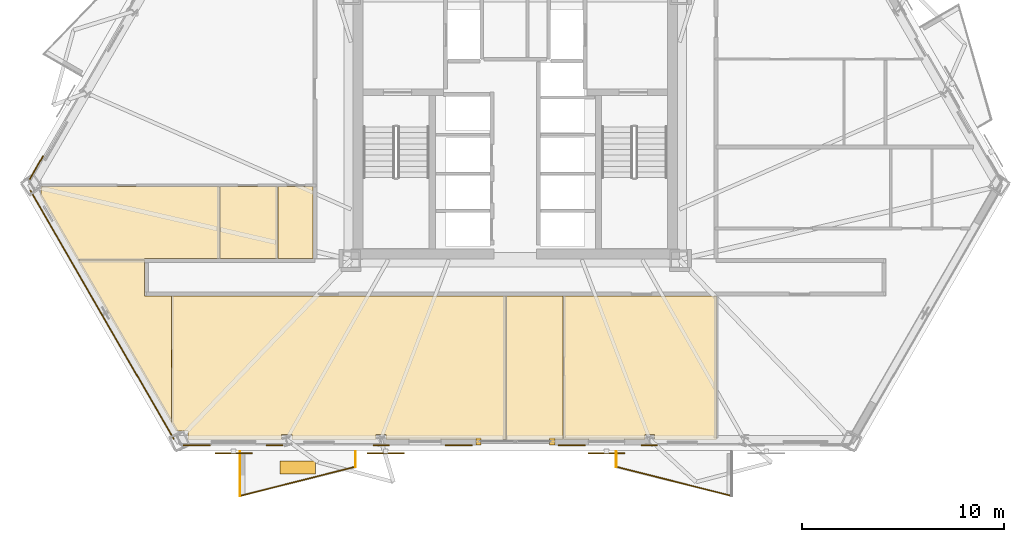
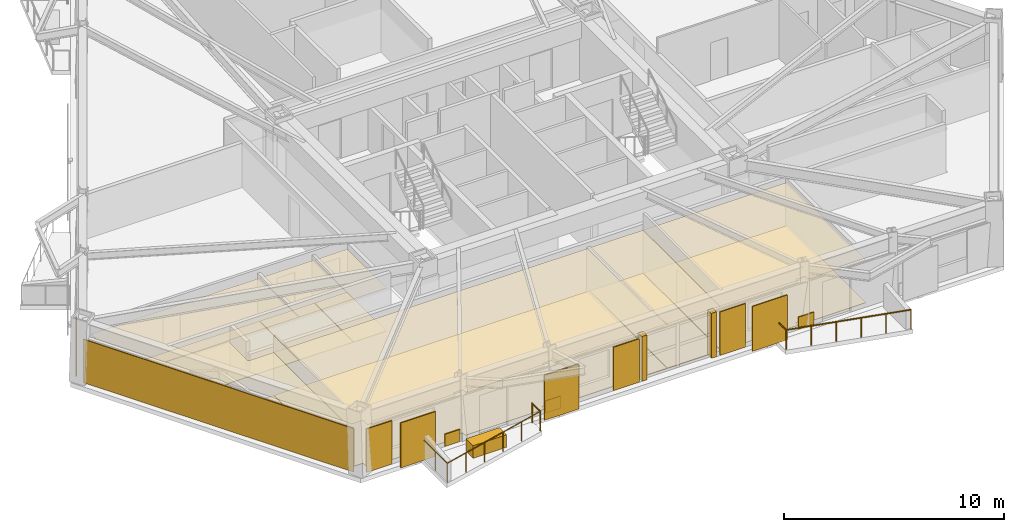
# One storey, part 10 of 15: 25 coverings, 5 railings, 3 shading devices.
"""IFC4 building model written with IfcOpenShell, lengths in metres."""

from ifc_helpers import new_model, si_unit, direction, frame, origin, origin_2d, place, context, subcontext, project, spatial, polyline, rectangle, circle, outline, extrude, material, layer, layer_set, type_object, element, save


model = new_model("IFC4")

# Units and contexts
model_context = context("Model", 3, precision=1e-05, world=origin(), true_north=direction((0.0, 1.0)))
body_context = subcontext(model_context, "Body", "Model", "MODEL_VIEW")
ifc_project = project(units=[si_unit("LENGTHUNIT", "METRE"), si_unit("AREAUNIT", "SQUARE_METRE"), si_unit("VOLUMEUNIT", "CUBIC_METRE"), si_unit("PLANEANGLEUNIT", "RADIAN"), si_unit("MASSUNIT", "GRAM", prefix="KILO")], contexts=[model_context])

# Site, building, storey
site_placement = place(None, origin())
site = spatial("IfcSite", under=ifc_project, at=site_placement, CompositionType="ELEMENT")
building_placement = place(site_placement, origin())
building = spatial("IfcBuilding", under=site, at=building_placement, Name="Oramaril Tower", CompositionType="ELEMENT")
storey_placement = place(building_placement, frame((0.0, 0.0, 48.89990234375)))
storey = spatial("IfcBuildingStorey", under=building, at=storey_placement, Name="L12", CompositionType="ELEMENT", Elevation=48.89990234375)

# Coverings
ifc_material_1 = material(Name="Mineral Fibre Acoustic Ceiling")
ifc_layer_1 = layer(ifc_material_1, 0.02001953125)
ifc_layer_set_1 = layer_set([ifc_layer_1], Name="CVT-CEIL")
covering_type_1 = type_object("IfcCoveringType", Name="CVT-CEIL", PredefinedType="CEILING", material=ifc_layer_set_1)
covering_1_placement = place(storey_placement, frame((0.0, 0.0, 2.400146484375)))
element("IfcCovering", 1, at=covering_1_placement, inside=storey, type_object=covering_type_1, Name="L12 Acoustic Suspended Ceiling 6", PredefinedType="CEILING", context=body_context, shape_type="SweptSolid", body=[
    extrude(outline(polyline([(31.0751953125, 2.314697265625), (30.58251953125, 2.314697265625), (30.58251953125, 2.086181640625), (26.412109375, 2.086181640625), (26.412109375, 2.314697265625), (25.906494140625, 2.314697265625), (25.906494140625, 2.086181640625), (21.265625, 2.086181640625), (21.265625, 2.497802734375), (20.67041015625, 2.497802734375), (20.452392578125, 2.87548828125), (20.452392578125, 9.199951171875), (37.0419921875, 9.199951171875), (37.0419921875, 2.086181640625), (31.0751953125, 2.086181640625), (31.0751953125, 2.314697265625)])), origin(), (0.0, 0.0, 1.0), 0.02001953125),
])
covering_2_placement = place(storey_placement, frame((0.0, 0.0, 2.400146484375)))
element("IfcCovering", 2, at=covering_2_placement, inside=storey, type_object=covering_type_1, Name="L12 Acoustic Suspended Ceiling 7", PredefinedType="CEILING", context=body_context, shape_type="SweptSolid", body=[
    extrude(outline(polyline([(15.766357421875, 10.991943359375), (19.10009765625, 10.991943359375), (19.10009765625, 9.219970703125), (19.10009765625, 9.218017578125), (19.100341796875, 9.216064453125), (19.100830078125, 9.214111328125), (19.1015625, 9.21240234375), (19.102294921875, 9.210693359375), (19.103515625, 9.208984375), (19.1044921875, 9.207275390625), (19.10595703125, 9.205810546875), (19.107421875, 9.20458984375), (19.10888671875, 9.203369140625), (19.110595703125, 9.202392578125), (19.1123046875, 9.201416015625), (19.1142578125, 9.200927734375), (19.1162109375, 9.200439453125), (19.117919921875, 9.2001953125), (19.1201171875, 9.199951171875), (20.4326171875, 9.199951171875), (20.4326171875, 2.909912109375), (15.766357421875, 10.991943359375)])), origin(), (0.0, 0.0, 1.0), 0.02001953125),
])
covering_3_placement = place(storey_placement, frame((0.0, 0.0, 2.400146484375)))
element("IfcCovering", 3, at=covering_3_placement, inside=storey, type_object=covering_type_1, Name="L12 Acoustic Suspended Ceiling 8", PredefinedType="CEILING", context=body_context, shape_type="SweptSolid", body=[
    extrude(outline(polyline([(44.41748046875, 2.314697265625), (43.9248046875, 2.314697265625), (43.9248046875, 2.086181640625), (39.884033203125, 2.086181640625), (39.884033203125, 9.199951171875), (47.491943359375, 9.199951171875), (47.491943359375, 2.086181640625), (44.41748046875, 2.086181640625), (44.41748046875, 2.314697265625)])), origin(), (0.0, 0.0, 1.0), 0.02001953125),
])
covering_4_placement = place(storey_placement, frame((0.0, 0.0, 2.400146484375)))
element("IfcCovering", 4, at=covering_4_placement, inside=storey, type_object=covering_type_1, Name="L12 Acoustic Suspended Ceiling 9", PredefinedType="CEILING", context=body_context, shape_type="SweptSolid", body=[
    extrude(outline(polyline([(37.06201171875, 2.086181640625), (37.06201171875, 9.199951171875), (39.864013671875, 9.199951171875), (39.864013671875, 2.086181640625), (37.06201171875, 2.086181640625)])), origin(), (0.0, 0.0, 1.0), 0.02001953125),
])
covering_5_placement = place(storey_placement, frame((0.0, 0.0, 2.400146484375)))
element("IfcCovering", 5, at=covering_5_placement, inside=storey, type_object=covering_type_1, Name="L12 Acoustic Suspended Ceiling 11", PredefinedType="CEILING", context=body_context, shape_type="SweptSolid", body=[
    extrude(outline(polyline([(13.9619140625, 14.227783203125), (13.9619140625, 14.631591796875), (22.827392578125, 14.631591796875), (22.827392578125, 11.050048828125), (19.1201171875, 11.050048828125), (19.117919921875, 11.0498046875), (19.1162109375, 11.049560546875), (19.1142578125, 11.049072265625), (19.1123046875, 11.048583984375), (19.110595703125, 11.047607421875), (19.10888671875, 11.046630859375), (19.107421875, 11.04541015625), (19.10595703125, 11.044189453125), (19.1044921875, 11.042724609375), (19.103515625, 11.041015625), (19.102294921875, 11.039306640625), (19.1015625, 11.03759765625), (19.100830078125, 11.035888671875), (19.100341796875, 11.033935546875), (19.10009765625, 11.031982421875), (19.10009765625, 11.030029296875), (19.10009765625, 11.011962890625), (15.766357421875, 11.011962890625), (15.764404296875, 11.011962890625), (15.762451171875, 11.01171875), (15.760498046875, 11.010986328125), (15.758544921875, 11.010498046875), (15.7568359375, 11.009521484375), (15.75634765625, 11.00927734375), (13.898193359375, 14.227783203125), (13.9619140625, 14.227783203125)])), origin(), (0.0, 0.0, 1.0), 0.02001953125),
])
covering_6_placement = place(storey_placement, frame((0.0, 0.0, 2.400146484375)))
element("IfcCovering", 6, at=covering_6_placement, inside=storey, type_object=covering_type_1, Name="L12 Acoustic Suspended Ceiling 12", PredefinedType="CEILING", context=body_context, shape_type="SweptSolid", body=[
    extrude(outline(polyline([(25.701904296875, 11.050048828125), (22.847412109375, 11.050048828125), (22.847412109375, 14.631591796875), (25.701904296875, 14.631591796875), (25.701904296875, 11.050048828125)])), origin(), (0.0, 0.0, 1.0), 0.02001953125),
])
covering_7_placement = place(storey_placement, frame((0.0, 0.0, 2.400146484375)))
element("IfcCovering", 7, at=covering_7_placement, inside=storey, type_object=covering_type_1, Name="L12 Acoustic Suspended Ceiling 13", PredefinedType="CEILING", context=body_context, shape_type="SweptSolid", body=[
    extrude(outline(polyline([(25.721923828125, 14.631591796875), (27.449951171875, 14.631591796875), (27.449951171875, 11.050048828125), (25.721923828125, 11.050048828125), (25.721923828125, 14.631591796875)])), origin(), (0.0, 0.0, 1.0), 0.02001953125),
])
ifc_material_2 = material(Name="Warm Cream Limestone", Category="masonry")
ifc_layer_2 = layer(ifc_material_2, 0.050048828125)
ifc_layer_set_2 = layer_set([ifc_layer_2], Name="CVT-CLD")
covering_type_2 = type_object("IfcCoveringType", Name="CVT-CLD", PredefinedType="CLADDING", material=ifc_layer_set_2)
covering_8_placement = place(storey_placement, frame((16.9951171875, 8.26171875, 0.0400390625), z_axis=(0.0, 0.0, 1.0), x_axis=(0.5, -0.866025403784, 0.0)))
element("IfcCovering", 8, at=covering_8_placement, inside=storey, type_object=covering_type_2, Name="L12 Warm Cream Limestone Cladding", PredefinedType="CLADDING", context=body_context, shape_type="SweptSolid", body=[
    extrude(rectangle(XDim=14.2333984375, YDim=0.050048828125, at=origin_2d()), origin(), (0.0, 0.0, 1.0), 2.4140625),
])
for number, where, z_axis, x_axis, name in (
    (9, (35.669921875, 1.978271484375, 0.0), (0.0, 0.0, 1.0), (1.0, 0.0, 0.0), "L12 Curtain Wall Limestone Jamb Closure"),
    (10, (39.330078125, 1.978271484375, 0.0), (0.0, 0.0, 1.0), (1.0, 0.0, 0.0), "L12 Curtain Wall Limestone Jamb Closure"),
):
    element("IfcCovering", number, at=place(storey_placement, frame(where, z_axis=z_axis, x_axis=x_axis)), inside=storey, type_object=covering_type_2, Name=name, PredefinedType="CLADDING", context=body_context, shape_type="SweptSolid", body=[
        extrude(rectangle(XDim=0.260009765625, YDim=0.340087890625, at=origin_2d()), origin(), (0.0, 0.0, 1.0), 2.493896484375),
    ])
for number, where, z_axis, x_axis, name in (
    (11, (21.69580078125, 1.785400390625, 0.0400390625), (0.0, 0.0, 1.0), (1.0, 0.0, 0.0), "L12 Warm Cream Limestone Cladding"),
    (12, (34.699951171875, 1.785400390625, 0.0400390625), (0.0, 0.0, 1.0), (1.0, 0.0, 0.0), "L12 Warm Cream Limestone Cladding"),
):
    element("IfcCovering", number, at=place(storey_placement, frame(where, z_axis=z_axis, x_axis=x_axis)), inside=storey, type_object=covering_type_2, Name=name, PredefinedType="CLADDING", context=body_context, shape_type="SweptSolid", body=[
        extrude(rectangle(XDim=1.35009765625, YDim=0.050048828125, at=origin_2d()), origin(), (0.0, 0.0, 1.0), 2.4140625),
    ])
for number, where, z_axis, x_axis, name in (
    (13, (25.551025390625, 1.785400390625, 0.0400390625), (0.0, 0.0, 1.0), (1.0, 0.0, 0.0), "L12 Warm Cream Limestone Spandrel Cladding"),
    (14, (30.844482421875, 1.785400390625, 0.0400390625), (0.0, 0.0, 1.0), (1.0, 0.0, 0.0), "L12 Warm Cream Limestone Spandrel Cladding"),
):
    element("IfcCovering", number, at=place(storey_placement, frame(where, z_axis=z_axis, x_axis=x_axis)), inside=storey, type_object=covering_type_2, Name=name, PredefinedType="CLADDING", context=body_context, shape_type="SweptSolid", body=[
        extrude(rectangle(XDim=0.800048828125, YDim=0.050048828125, at=origin_2d()), origin(), (0.0, 0.0, 1.0), 0.679931640625),
    ])
covering_9_placement = place(storey_placement, frame((40.300048828125, 1.785400390625, 0.0400390625), z_axis=(0.0, 0.0, 1.0), x_axis=(1.0, 0.0, 0.0)))
element("IfcCovering", 15, at=covering_9_placement, inside=storey, type_object=covering_type_2, Name="L12 Warm Cream Limestone Cladding", PredefinedType="CLADDING", context=body_context, shape_type="SweptSolid", body=[
    extrude(rectangle(XDim=1.35009765625, YDim=0.050048828125, at=origin_2d()), origin(), (0.0, 0.0, 1.0), 2.4140625),
])
covering_10_placement = place(storey_placement, frame((44.155517578125, 1.785400390625, 0.0400390625), z_axis=(0.0, 0.0, 1.0), x_axis=(1.0, 0.0, 0.0)))
element("IfcCovering", 16, at=covering_10_placement, inside=storey, type_object=covering_type_2, Name="L12 Warm Cream Limestone Spandrel Cladding", PredefinedType="CLADDING", context=body_context, shape_type="SweptSolid", body=[
    extrude(rectangle(XDim=0.800048828125, YDim=0.050048828125, at=origin_2d()), origin(), (0.0, 0.0, 1.0), 0.679931640625),
])
covering_11_placement = place(storey_placement, frame((13.73681640625, 15.5703125, 0.0400390625), z_axis=(0.0, 0.0, 1.0), x_axis=(-0.5, -0.866025403784, 0.0)))
element("IfcCovering", 17, at=covering_11_placement, inside=storey, type_object=covering_type_2, Name="L12 Warm Cream Limestone Cladding", PredefinedType="CLADDING", context=body_context, shape_type="SweptSolid", body=[
    extrude(rectangle(XDim=1.35009765625, YDim=0.050048828125, at=origin_2d()), origin(), (0.0, 0.0, 1.0), 2.4140625),
])
covering_12_placement = place(storey_placement, frame((26.705078125, 0.681884765625, 0.0), z_axis=(0.0, 0.0, 1.0), x_axis=(1.0, 0.0, 0.0)))
element("IfcCovering", 18, at=covering_12_placement, inside=storey, type_object=covering_type_2, Name="L12 Structural Tree Planter Box L12-BAL-S1", PredefinedType="CLADDING", context=body_context, shape_type="SweptSolid", body=[
    extrude(rectangle(XDim=1.75, YDim=0.64990234375, at=origin_2d()), origin(), (0.0, 0.0, 1.0), 0.699951171875),
])
ifc_material_3 = material(Name="Honed Quartzite Stone Flooring", Category="masonry")
ifc_layer_3 = layer(ifc_material_3, 0.02490234375)
ifc_layer_set_3 = layer_set([ifc_layer_3], Name="CVT-FLR")
covering_type_3 = type_object("IfcCoveringType", Name="CVT-FLR", PredefinedType="FLOORING", material=ifc_layer_set_3)
covering_13_placement = place(storey_placement, origin())
element("IfcCovering", 19, at=covering_13_placement, inside=storey, type_object=covering_type_3, Name="L12 Honed Stone Floor Finish 6", PredefinedType="FLOORING", context=body_context, shape_type="SweptSolid", body=[
    extrude(outline(polyline([(31.0751953125, 2.314697265625), (30.58251953125, 2.314697265625), (30.58251953125, 2.086181640625), (26.412109375, 2.086181640625), (26.412109375, 2.314697265625), (25.906494140625, 2.314697265625), (25.906494140625, 2.086181640625), (21.265625, 2.086181640625), (21.265625, 2.497802734375), (20.67041015625, 2.497802734375), (20.452392578125, 2.87548828125), (20.452392578125, 9.199951171875), (37.0419921875, 9.199951171875), (37.0419921875, 2.086181640625), (31.0751953125, 2.086181640625), (31.0751953125, 2.314697265625)])), origin(), (0.0, 0.0, 1.0), 0.025146484375),
])
covering_14_placement = place(storey_placement, origin())
element("IfcCovering", 20, at=covering_14_placement, inside=storey, type_object=covering_type_3, Name="L12 Honed Stone Floor Finish 7", PredefinedType="FLOORING", context=body_context, shape_type="SweptSolid", body=[
    extrude(outline(polyline([(15.766357421875, 10.991943359375), (19.10009765625, 10.991943359375), (19.10009765625, 9.219970703125), (19.10009765625, 9.218017578125), (19.100341796875, 9.216064453125), (19.100830078125, 9.214111328125), (19.1015625, 9.21240234375), (19.102294921875, 9.210693359375), (19.103515625, 9.208984375), (19.1044921875, 9.207275390625), (19.10595703125, 9.205810546875), (19.107421875, 9.20458984375), (19.10888671875, 9.203369140625), (19.110595703125, 9.202392578125), (19.1123046875, 9.201416015625), (19.1142578125, 9.200927734375), (19.1162109375, 9.200439453125), (19.117919921875, 9.2001953125), (19.1201171875, 9.199951171875), (20.4326171875, 9.199951171875), (20.4326171875, 2.909912109375), (15.766357421875, 10.991943359375)])), origin(), (0.0, 0.0, 1.0), 0.025146484375),
])
covering_15_placement = place(storey_placement, origin())
element("IfcCovering", 21, at=covering_15_placement, inside=storey, type_object=covering_type_3, Name="L12 Honed Stone Floor Finish 8", PredefinedType="FLOORING", context=body_context, shape_type="SweptSolid", body=[
    extrude(outline(polyline([(44.41748046875, 2.314697265625), (43.9248046875, 2.314697265625), (43.9248046875, 2.086181640625), (39.884033203125, 2.086181640625), (39.884033203125, 9.199951171875), (47.491943359375, 9.199951171875), (47.491943359375, 2.086181640625), (44.41748046875, 2.086181640625), (44.41748046875, 2.314697265625)])), origin(), (0.0, 0.0, 1.0), 0.025146484375),
])
covering_16_placement = place(storey_placement, origin())
element("IfcCovering", 22, at=covering_16_placement, inside=storey, type_object=covering_type_3, Name="L12 Honed Stone Floor Finish 9", PredefinedType="FLOORING", context=body_context, shape_type="SweptSolid", body=[
    extrude(outline(polyline([(37.06201171875, 2.086181640625), (37.06201171875, 9.199951171875), (39.864013671875, 9.199951171875), (39.864013671875, 2.086181640625), (37.06201171875, 2.086181640625)])), origin(), (0.0, 0.0, 1.0), 0.025146484375),
])
covering_17_placement = place(storey_placement, origin())
element("IfcCovering", 23, at=covering_17_placement, inside=storey, type_object=covering_type_3, Name="L12 Honed Stone Floor Finish 11", PredefinedType="FLOORING", context=body_context, shape_type="SweptSolid", body=[
    extrude(outline(polyline([(13.9619140625, 14.227783203125), (13.9619140625, 14.631591796875), (22.827392578125, 14.631591796875), (22.827392578125, 11.050048828125), (19.1201171875, 11.050048828125), (19.117919921875, 11.0498046875), (19.1162109375, 11.049560546875), (19.1142578125, 11.049072265625), (19.1123046875, 11.048583984375), (19.110595703125, 11.047607421875), (19.10888671875, 11.046630859375), (19.107421875, 11.04541015625), (19.10595703125, 11.044189453125), (19.1044921875, 11.042724609375), (19.103515625, 11.041015625), (19.102294921875, 11.039306640625), (19.1015625, 11.03759765625), (19.100830078125, 11.035888671875), (19.100341796875, 11.033935546875), (19.10009765625, 11.031982421875), (19.10009765625, 11.030029296875), (19.10009765625, 11.011962890625), (15.766357421875, 11.011962890625), (15.764404296875, 11.011962890625), (15.762451171875, 11.01171875), (15.760498046875, 11.010986328125), (15.758544921875, 11.010498046875), (15.7568359375, 11.009521484375), (15.75634765625, 11.00927734375), (13.898193359375, 14.227783203125), (13.9619140625, 14.227783203125)])), origin(), (0.0, 0.0, 1.0), 0.025146484375),
])
covering_18_placement = place(storey_placement, origin())
element("IfcCovering", 24, at=covering_18_placement, inside=storey, type_object=covering_type_3, Name="L12 Honed Stone Floor Finish 12", PredefinedType="FLOORING", context=body_context, shape_type="SweptSolid", body=[
    extrude(outline(polyline([(25.701904296875, 11.050048828125), (22.847412109375, 11.050048828125), (22.847412109375, 14.631591796875), (25.701904296875, 14.631591796875), (25.701904296875, 11.050048828125)])), origin(), (0.0, 0.0, 1.0), 0.025146484375),
])
covering_19_placement = place(storey_placement, origin())
element("IfcCovering", 25, at=covering_19_placement, inside=storey, type_object=covering_type_3, Name="L12 Honed Stone Floor Finish 13", PredefinedType="FLOORING", context=body_context, shape_type="SweptSolid", body=[
    extrude(outline(polyline([(25.721923828125, 14.631591796875), (27.449951171875, 14.631591796875), (27.449951171875, 11.050048828125), (25.721923828125, 11.050048828125), (25.721923828125, 14.631591796875)])), origin(), (0.0, 0.0, 1.0), 0.025146484375),
])

# Railings
ifc_material_4 = material(Name="Stainless Steel 316L", Category="steel")
railing_type = type_object("IfcRailingType", Name="RLT-GRD", PredefinedType="GUARDRAIL", material=ifc_material_4)
railing_1_placement = place(storey_placement, frame((29.570068359375, 1.47021484375, 0.0)))
element("IfcRailing", 26, at=railing_1_placement, inside=storey, type_object=railing_type, Name="L12 Balcony Guardrail L12-BAL-S1.1", PredefinedType="GUARDRAIL", context=body_context, shape_type="SweptSolid", body=[
    extrude(circle(Radius=0.02392578125, at=origin_2d()), frame((0.0, 0.0, 1.076171875), z_axis=(0.0, -1.0, 0.0), x_axis=(1.0, 0.0, 0.0)), (0.0, 0.0, 1.0), 0.741943359375),
    extrude(circle(Radius=0.02099609375, at=origin_2d()), origin(), (0.0, 0.0, 1.0), 1.052001953125),
    extrude(circle(Radius=0.02099609375, at=origin_2d()), frame((0.0, -0.741943359375, 0.0)), (0.0, 0.0, 1.0), 1.052001953125),
])
railing_2_placement = place(storey_placement, frame((29.570068359375, 0.728271484375, 0.0)))
element("IfcRailing", 27, at=railing_2_placement, inside=storey, type_object=railing_type, Name="L12 Balcony Guardrail L12-BAL-S1.2", PredefinedType="GUARDRAIL", context=body_context, shape_type="SweptSolid", body=[
    extrude(circle(Radius=0.02392578125, at=origin_2d()), frame((0.0, 0.0, 1.076171875), z_axis=(-0.969443611257, -0.245314256807, 0.0), x_axis=(0.245314256807, -0.969443611257, 0.0)), (0.0, 0.0, 1.0), 5.91064453125),
    extrude(circle(Radius=0.02099609375, at=origin_2d()), origin(), (0.0, 0.0, 1.0), 1.052001953125),
    extrude(circle(Radius=0.02099609375, at=origin_2d()), frame((-1.14599609375, -0.2900390625, 0.0)), (0.0, 0.0, 1.0), 1.052001953125),
    extrude(circle(Radius=0.02099609375, at=origin_2d()), frame((-2.2919921875, -0.580078125, 0.0)), (0.0, 0.0, 1.0), 1.052001953125),
    extrude(circle(Radius=0.02099609375, at=origin_2d()), frame((-3.43798828125, -0.869873046875, 0.0)), (0.0, 0.0, 1.0), 1.052001953125),
    extrude(circle(Radius=0.02099609375, at=origin_2d()), frame((-4.583984375, -1.159912109375, 0.0)), (0.0, 0.0, 1.0), 1.052001953125),
    extrude(circle(Radius=0.02099609375, at=origin_2d()), frame((-5.72998046875, -1.449951171875, 0.0)), (0.0, 0.0, 1.0), 1.052001953125),
])
railing_3_placement = place(storey_placement, frame((23.840087890625, -0.7216796875, 0.0)))
element("IfcRailing", 28, at=railing_3_placement, inside=storey, type_object=railing_type, Name="L12 Balcony Guardrail L12-BAL-S1.3", PredefinedType="GUARDRAIL", context=body_context, shape_type="SweptSolid", body=[
    extrude(circle(Radius=0.02392578125, at=origin_2d()), frame((0.0, 0.0, 1.076171875), z_axis=(0.0, 1.0, 0.0), x_axis=(-1.0, 0.0, 0.0)), (0.0, 0.0, 1.0), 2.19189453125),
    extrude(circle(Radius=0.02099609375, at=origin_2d()), origin(), (0.0, 0.0, 1.0), 1.052001953125),
    extrude(circle(Radius=0.02099609375, at=origin_2d()), frame((0.0, 1.095947265625, 0.0)), (0.0, 0.0, 1.0), 1.052001953125),
    extrude(circle(Radius=0.02099609375, at=origin_2d()), frame((0.0, 2.19189453125, 0.0)), (0.0, 0.0, 1.0), 1.052001953125),
])
railing_4_placement = place(storey_placement, frame((48.23486328125, -0.7216796875, 0.0)))
element("IfcRailing", 29, at=railing_4_placement, inside=storey, type_object=railing_type, Name="L12 Balcony Guardrail L12-BAL-S2.2", PredefinedType="GUARDRAIL", context=body_context, shape_type="SweptSolid", body=[
    extrude(circle(Radius=0.02392578125, at=origin_2d()), frame((0.0, 0.0, 1.076171875), z_axis=(-0.969443611257, 0.245314256807, 0.0), x_axis=(-0.245314256807, -0.969443611257, 0.0)), (0.0, 0.0, 1.0), 5.91064453125),
    extrude(circle(Radius=0.02099609375, at=origin_2d()), origin(), (0.0, 0.0, 1.0), 1.052001953125),
    extrude(circle(Radius=0.02099609375, at=origin_2d()), frame((-1.14599609375, 0.2900390625, 0.0)), (0.0, 0.0, 1.0), 1.052001953125),
    extrude(circle(Radius=0.02099609375, at=origin_2d()), frame((-2.2919921875, 0.580078125, 0.0)), (0.0, 0.0, 1.0), 1.052001953125),
    extrude(circle(Radius=0.02099609375, at=origin_2d()), frame((-3.43798828125, 0.869873046875, 0.0)), (0.0, 0.0, 1.0), 1.052001953125),
    extrude(circle(Radius=0.02099609375, at=origin_2d()), frame((-4.583984375, 1.159912109375, 0.0)), (0.0, 0.0, 1.0), 1.052001953125),
    extrude(circle(Radius=0.02099609375, at=origin_2d()), frame((-5.72998046875, 1.449951171875, 0.0)), (0.0, 0.0, 1.0), 1.052001953125),
])
railing_5_placement = place(storey_placement, frame((42.5048828125, 0.728271484375, 0.0)))
element("IfcRailing", 30, at=railing_5_placement, inside=storey, type_object=railing_type, Name="L12 Balcony Guardrail L12-BAL-S2.3", PredefinedType="GUARDRAIL", context=body_context, shape_type="SweptSolid", body=[
    extrude(circle(Radius=0.02392578125, at=origin_2d()), frame((0.0, 0.0, 1.076171875), z_axis=(0.0, 1.0, 0.0), x_axis=(-1.0, 0.0, 0.0)), (0.0, 0.0, 1.0), 0.741943359375),
    extrude(circle(Radius=0.02099609375, at=origin_2d()), origin(), (0.0, 0.0, 1.0), 1.052001953125),
    extrude(circle(Radius=0.02099609375, at=origin_2d()), frame((0.0, 0.741943359375, 0.0)), (0.0, 0.0, 1.0), 1.052001953125),
])

# Shading devices
for number, where, z_axis, x_axis, name in (
    (31, (23.521240234375, 1.398193359375, -0.02001953125), (0.0, 0.0, 1.0), (1.0, 0.0, 0.0), "L12 Perforated Ceramic Solar Screen"),
    (32, (31.074462890625, 1.398193359375, -0.02001953125), (0.0, 0.0, 1.0), (1.0, 0.0, 0.0), "L12 Perforated Ceramic Solar Screen"),
    (33, (42.025390625, 1.398193359375, -0.02001953125), (0.0, 0.0, 1.0), (1.0, 0.0, 0.0), "L12 Perforated Ceramic Solar Screen"),
):
    element("IfcShadingDevice", number, at=place(storey_placement, frame(where, z_axis=z_axis, x_axis=x_axis)), inside=storey, Name=name, ObjectType="SCREEN", PredefinedType="USERDEFINED", context=body_context, shape_type="SweptSolid", body=[
        extrude(rectangle(XDim=1.8330078125, YDim=0.050048828125, at=origin_2d()), origin(), (0.0, 0.0, 1.0), 2.493896484375),
    ])

save(model, "model.ifc")
